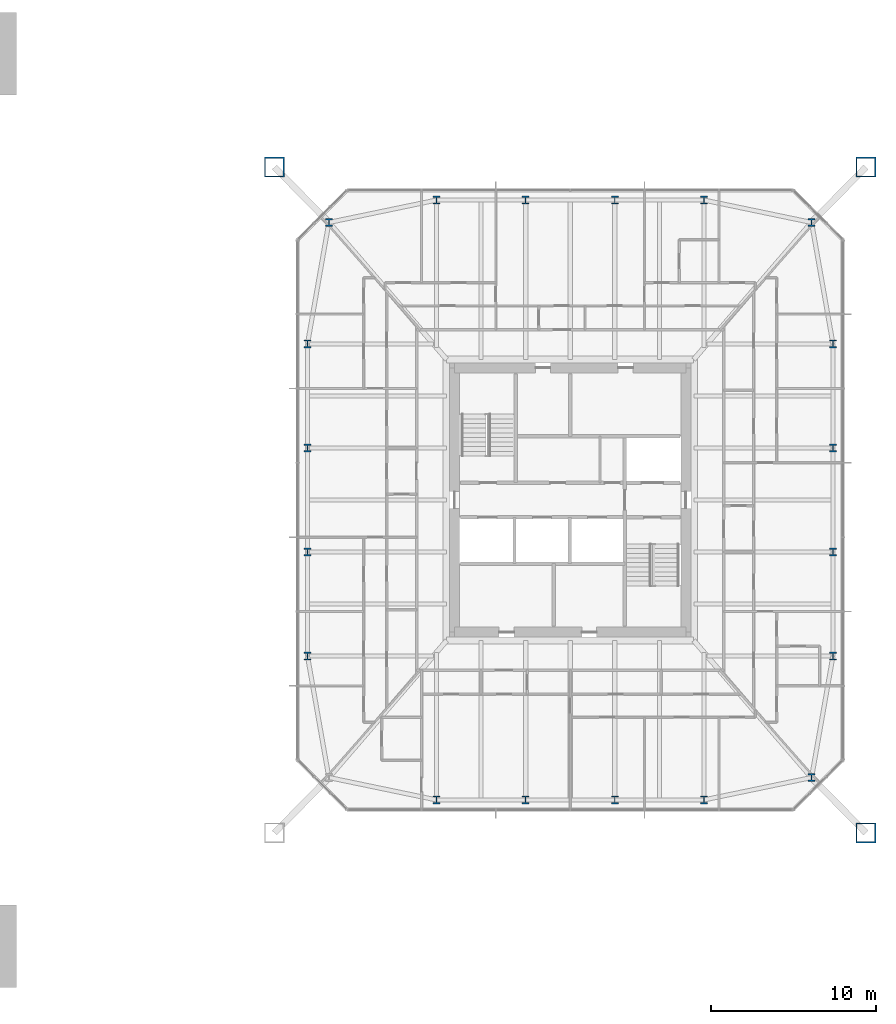
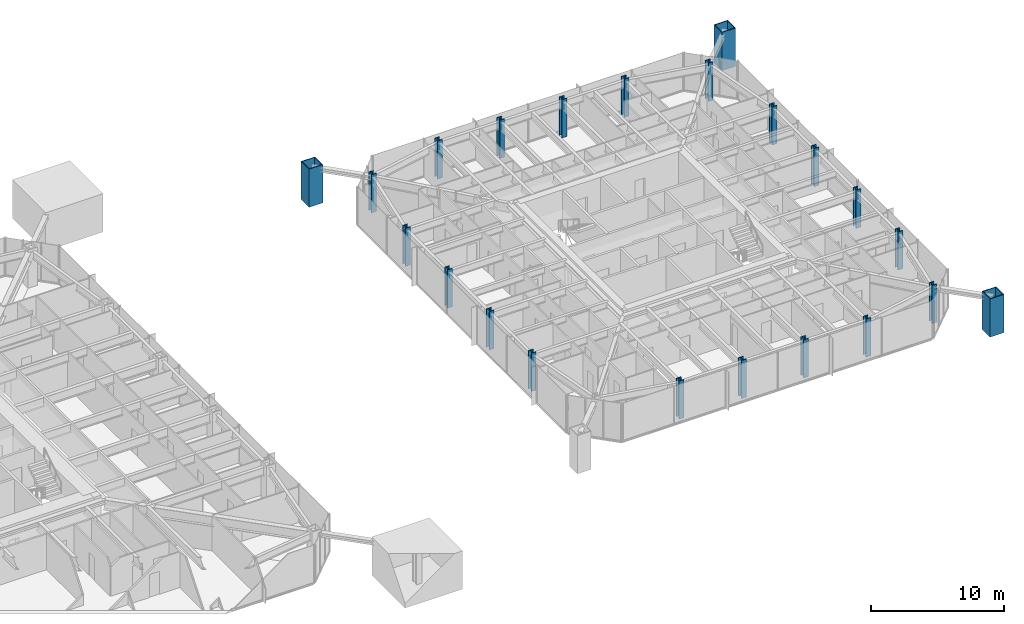
# One storey, part 2 of 26: 22 columns.
"""IFC4 building model written with IfcOpenShell, lengths in metres."""

import ifcopenshell
import ifcopenshell.guid

model = None  # the IFC model being written
_history = None  # IfcOwnerHistory: only IFC2X3 demands one
_inside = {}  # id of a spatial element -> (the spatial element, [elements in it])
_under = {}  # id of a project, library or spatial element -> (it, [spatial elements below it])
_declared = {}  # id of a project -> (the project, [libraries it declares])
_typed = {}  # id of a type object -> (the type object, [elements of that type])
_made_of = {}  # id of a material, layer set ... -> (it, [elements and type objects made of it])


def new_model(schema):
    """Start an empty IFC model of exactly this schema.

    Asked for "IFC4X3", IfcOpenShell would pick the latest addendum, in which some entities
    have other attributes; the version numbers below select the first issue.
    IFC2X3 requires an IfcOwnerHistory on every rooted entity: one is made here for all.
    """
    global model, _history
    if schema == "IFC4X3":
        model = ifcopenshell.file(schema_version=(4, 3, 0, 0))
    else:
        model = ifcopenshell.file(schema=schema)
    _inside.clear()
    _under.clear()
    _declared.clear()
    _typed.clear()
    _made_of.clear()
    _history = None
    if model.schema == "IFC2X3":
        org = make("IfcOrganization", Name="unknown")
        user = make(
            "IfcPersonAndOrganization",
            ThePerson=make("IfcPerson", FamilyName="unknown"),
            TheOrganization=org,
        )
        app = make(
            "IfcApplication",
            ApplicationDeveloper=org,
            Version="unknown",
            ApplicationFullName="unknown",
            ApplicationIdentifier="unknown",
        )
        _history = make(
            "IfcOwnerHistory",
            OwningUser=user,
            OwningApplication=app,
            ChangeAction="ADDED",
            CreationDate=0,
        )
    return model


def make(cls, **values):
    """One entity of the class cls with the attributes given. An attribute that is None is left unset."""
    return model.create_entity(
        cls, **{name: value for name, value in values.items() if value is not None}
    )


def rooted(cls, **values):
    """An entity with a GlobalId (a new one), such as an element, a storey or a relation."""
    return make(cls, GlobalId=ifcopenshell.guid.new(), OwnerHistory=_history, **values)


def si_unit(unit_type, name, prefix=None):
    """IfcSIUnit, for example si_unit("LENGTHUNIT", "METRE", prefix="MILLI")."""
    return make("IfcSIUnit", UnitType=unit_type, Prefix=prefix, Name=name)


def assignment(units):
    """IfcUnitAssignment: the units of a project."""
    return None if units is None else make("IfcUnitAssignment", Units=units)


def point(xyz):
    """IfcCartesianPoint."""
    return None if xyz is None else make("IfcCartesianPoint", Coordinates=xyz)


def direction(xyz):
    """IfcDirection."""
    return None if xyz is None else make("IfcDirection", DirectionRatios=xyz)


def frame(location, z_axis=None, x_axis=None):
    """IfcAxis2Placement3D, a coordinate frame: its origin and axes. An axis left out is left unset."""
    return make(
        "IfcAxis2Placement3D",
        Location=point(location),
        Axis=direction(z_axis),
        RefDirection=direction(x_axis),
    )


def frame_2d(location, x_axis=None):
    """IfcAxis2Placement2D, a coordinate frame in the plane: its origin and x axis."""
    return make(
        "IfcAxis2Placement2D", Location=point(location), RefDirection=direction(x_axis)
    )


def origin():
    """The frame at (0, 0, 0) with its axes left unset."""
    return frame((0.0, 0.0, 0.0))


def origin_2d():
    """The frame at (0, 0) in the plane with its x axis left unset."""
    return frame_2d((0.0, 0.0))


def place(relative_to, where):
    """IfcLocalPlacement: puts the frame where relative to a parent placement (None: the world)."""
    return make(
        "IfcLocalPlacement", PlacementRelTo=relative_to, RelativePlacement=where
    )


def context(
    kind, dimensions, precision=None, world=None, true_north=None, identifier=None
):
    """IfcGeometricRepresentationContext, for example the 3D "Model" context."""
    return make(
        "IfcGeometricRepresentationContext",
        ContextIdentifier=identifier,
        ContextType=kind,
        CoordinateSpaceDimension=dimensions,
        Precision=precision,
        WorldCoordinateSystem=world,
        TrueNorth=true_north,
    )


def subcontext(parent, identifier, kind, view, scale=None):
    """IfcGeometricRepresentationSubContext, for example "Body" below "Model"."""
    return make(
        "IfcGeometricRepresentationSubContext",
        ContextIdentifier=identifier,
        ContextType=kind,
        ParentContext=parent,
        TargetScale=scale,
        TargetView=view,
    )


def project(units=None, contexts=None):
    """IfcProject with its units and contexts."""
    return rooted(
        "IfcProject",
        Name="project",
        RepresentationContexts=contexts,
        UnitsInContext=assignment(units),
    )


def spatial(cls, under=None, at=None, **own):
    """A site, building, storey or space (cls), placed at a placement, below another one or the project."""
    s = rooted(cls, ObjectPlacement=at, **own)
    if under is not None:
        _under.setdefault(under.id(), (under, []))[1].append(s)
    return s


def profile(cls, at=None, kind="AREA", **sizes):
    """A parametric profile (cls). Its sizes go by their IFC names, for example OverallWidth=200.0."""
    return make(cls, ProfileType=kind, Position=at, **sizes)


def hollow_rectangle(**sizes):
    """IfcRectangleHollowProfileDef."""
    return profile("IfcRectangleHollowProfileDef", **sizes)


def i_section(**sizes):
    """IfcIShapeProfileDef."""
    return profile("IfcIShapeProfileDef", **sizes)


def extrude(swept, where, along, depth):
    """IfcExtrudedAreaSolid: the profile swept, set in the frame where, extruded along a direction by depth."""
    return make(
        "IfcExtrudedAreaSolid",
        SweptArea=swept,
        Position=where,
        ExtrudedDirection=direction(along),
        Depth=depth,
    )


def shape(context_of_items, identifier, shape_type, items):
    """IfcShapeRepresentation: the items that make up one representation, for example the "Body"."""
    return make(
        "IfcShapeRepresentation",
        ContextOfItems=context_of_items,
        RepresentationIdentifier=identifier,
        RepresentationType=shape_type,
        Items=items,
    )


def material(Name=None, Category=None):
    """IfcMaterial."""
    return make("IfcMaterial", Name=Name, Category=Category)


def material_profile(
    of_material, cross_section, Name=None, Category=None, Priority=None
):
    """IfcMaterialProfile: a cross section and its material."""
    return make(
        "IfcMaterialProfile",
        Name=Name,
        Material=of_material,
        Profile=cross_section,
        Priority=Priority,
        Category=Category,
    )


def profile_set(profiles, Name=None, composite=None):
    """IfcMaterialProfileSet."""
    return make(
        "IfcMaterialProfileSet",
        Name=Name,
        MaterialProfiles=profiles,
        CompositeProfile=composite,
    )


def made_of(thing, what):
    """Note that an element or type object is made of a material, layer set ...; save() writes the relation."""
    if what is not None:
        _made_of.setdefault(what.id(), (what, []))[1].append(thing)
    return thing


def type_object(cls, material=None, **own):
    """A type object (cls), such as IfcWallType, which elements share."""
    return made_of(rooted(cls, **own), material)


def element(
    cls,
    number,
    at=None,
    inside=None,
    cuts=None,
    type_object=None,
    material=None,
    context=None,
    identifier="Body",
    shape_type=None,
    held_by="IfcProductDefinitionShape",
    body=None,
    shapes=None,
    **own,
):
    """One element of the class cls, such as IfcWall. Its Tag is "e" and its number.

    at: its placement. inside: the storey or other place that contains it. cuts: it is an
    opening in that element (IfcRelVoidsElement). A single representation is given by context,
    identifier, shape_type and body (its items); several are given by shapes. held_by: the class
    of the entity that holds the representations. save() writes the other relations.
    """
    e = rooted(cls, Tag="e%d" % number, ObjectPlacement=at, **own)
    if body is not None:
        shapes = [shape(context, identifier, shape_type, body)]
    if shapes is not None:
        e.Representation = make(held_by, Representations=shapes)
    if inside is not None:
        _inside.setdefault(inside.id(), (inside, []))[1].append(e)
    if cuts is not None:
        rooted(
            "IfcRelVoidsElement", RelatingBuildingElement=cuts, RelatedOpeningElement=e
        )
    if type_object is not None:
        _typed.setdefault(type_object.id(), (type_object, []))[1].append(e)
    return made_of(e, material)


def aggregate(whole, parts):
    """IfcRelAggregates: a whole, such as a stair, and the parts it consists of."""
    return rooted("IfcRelAggregates", RelatingObject=whole, RelatedObjects=parts)


def save(model, path):
    """Write the relations noted so far, then the file.

    IfcRelAggregates (storeys below a building ...), IfcRelContainedInSpatialStructure (elements
    in a storey), IfcRelDefinesByType, IfcRelAssociatesMaterial and IfcRelDeclares: one each for
    every whole, place, type object, material and project.
    """
    for whole, parts in _under.values():
        aggregate(whole, parts)
    for where, things in _inside.values():
        rooted(
            "IfcRelContainedInSpatialStructure",
            RelatedElements=things,
            RelatingStructure=where,
        )
    for kind, things in _typed.values():
        rooted("IfcRelDefinesByType", RelatedObjects=things, RelatingType=kind)
    for what, things in _made_of.values():
        rooted("IfcRelAssociatesMaterial", RelatedObjects=things, RelatingMaterial=what)
    for by, libraries in _declared.values():
        rooted("IfcRelDeclares", RelatingContext=by, RelatedDefinitions=libraries)
    model.write(path)


model = new_model("IFC4")

# Units and contexts
model_context = context("Model", 3, precision=1e-05, world=origin(), true_north=direction((0.0, 1.0)))
body_context = subcontext(model_context, "Body", "Model", "MODEL_VIEW")
ifc_project = project(units=[si_unit("LENGTHUNIT", "METRE"), si_unit("AREAUNIT", "SQUARE_METRE"), si_unit("VOLUMEUNIT", "CUBIC_METRE"), si_unit("PLANEANGLEUNIT", "RADIAN"), si_unit("MASSUNIT", "GRAM", prefix="KILO")], contexts=[model_context])

# Site, building, storey
site_placement = place(None, origin())
site = spatial("IfcSite", under=ifc_project, at=site_placement, CompositionType="ELEMENT")
building_placement = place(site_placement, origin())
building = spatial("IfcBuilding", under=site, at=building_placement, Name="Iwan Alto Co-Living Towers", CompositionType="ELEMENT")
storey_placement = place(building_placement, frame((0.0, 0.0, 29.0)))
storey = spatial("IfcBuildingStorey", under=building, at=storey_placement, Name="L07", CompositionType="ELEMENT", Elevation=29.0)

# Columns
ifc_material_1 = material(Name="Steel ASTM A572 Gr 50", Category="steel")
ifc_material_profile_1 = material_profile(ifc_material_1, hollow_rectangle(XDim=1.199951171875, YDim=1.199951171875, WallThickness=0.070068359375, at=origin_2d()), Name="BOX 1200X1200X70")
ifc_profile_set_1 = profile_set([ifc_material_profile_1], Name="Steel ASTM A572 Gr 50")
column_type_1 = type_object("IfcColumnType", Name="T2 MEGA COLUMN BOX 1200X1200X70", PredefinedType="COLUMN", material=ifc_profile_set_1)
for number, where, z_axis, x_axis, name in (
    (1, (80.89990234375, -20.14990234375, 0.0), (0.0, 0.0, 1.0), (1.0, 0.0, 0.0), "T2 mega column SE L07"),
    (2, (80.89990234375, 20.14990234375, 0.0), (0.0, 0.0, 1.0), (1.0, 0.0, 0.0), "T2 mega column NE L07"),
    (3, (45.10009765625, 20.14990234375, 0.0), (0.0, 0.0, 1.0), (1.0, 0.0, 0.0), "T2 mega column NW L07"),
):
    element("IfcColumn", number, at=place(storey_placement, frame(where, z_axis=z_axis, x_axis=x_axis)), inside=storey, type_object=column_type_1, Name=name, PredefinedType="COLUMN", context=body_context, shape_type="SweptSolid", body=[
        extrude(hollow_rectangle(XDim=1.199951171875, YDim=1.199951171875, WallThickness=0.070068359375, at=origin_2d()), origin(), (0.0, 0.0, 1.0), 3.5),
    ])
ifc_material_2 = material(Name="Steel ASTM A992 Gr 50", Category="steel")
ifc_material_profile_2 = material_profile(ifc_material_2, i_section(OverallWidth=0.424072265625, OverallDepth=0.47509765625, WebThickness=0.0478515625, FlangeThickness=0.0771484375, at=origin_2d()), Name="W14X426")
ifc_profile_set_2 = profile_set([ifc_material_profile_2], Name="Steel ASTM A992 Gr 50")
column_type_2 = type_object("IfcColumnType", Name="T2 RING COLUMN W14X426", PredefinedType="COLUMN", material=ifc_profile_set_2)
for number, where, z_axis, x_axis, name in (
    (4, (54.89990234375, -18.14990234375, 0.0), (0.0, 0.0, 1.0), (1.0, 0.0, 0.0), "T2 ring column S1 L07"),
    (5, (60.300048828125, -18.14990234375, 0.0), (0.0, 0.0, 1.0), (1.0, 0.0, 0.0), "T2 ring column S2 L07"),
    (6, (65.699951171875, -18.14990234375, 0.0), (0.0, 0.0, 1.0), (1.0, 0.0, 0.0), "T2 ring column S3 L07"),
    (7, (71.10009765625, -18.14990234375, 0.0), (0.0, 0.0, 1.0), (1.0, 0.0, 0.0), "T2 ring column S4 L07"),
    (8, (77.606201171875, -16.797119140625, 0.0), (0.0, 0.0, 1.0), (1.0, 0.0, 0.0), "T2 ring column CSE L07"),
    (9, (78.89990234375, -9.449951171875, 0.0), (0.0, 0.0, 1.0), (1.0, 0.0, 0.0), "T2 ring column E1 L07"),
    (10, (78.89990234375, -3.14990234375, 0.0), (0.0, 0.0, 1.0), (1.0, 0.0, 0.0), "T2 ring column E2 L07"),
    (11, (78.89990234375, 3.14990234375, 0.0), (0.0, 0.0, 1.0), (1.0, 0.0, 0.0), "T2 ring column E3 L07"),
    (12, (78.89990234375, 9.449951171875, 0.0), (0.0, 0.0, 1.0), (1.0, 0.0, 0.0), "T2 ring column E4 L07"),
    (13, (77.606201171875, 16.797119140625, 0.0), (0.0, 0.0, 1.0), (1.0, 0.0, 0.0), "T2 ring column CNE L07"),
    (14, (71.10009765625, 18.14990234375, 0.0), (0.0, 0.0, 1.0), (1.0, 0.0, 0.0), "T2 ring column N1 L07"),
    (15, (65.699951171875, 18.14990234375, 0.0), (0.0, 0.0, 1.0), (1.0, 0.0, 0.0), "T2 ring column N2 L07"),
    (16, (60.300048828125, 18.14990234375, 0.0), (0.0, 0.0, 1.0), (1.0, 0.0, 0.0), "T2 ring column N3 L07"),
    (17, (54.89990234375, 18.14990234375, 0.0), (0.0, 0.0, 1.0), (1.0, 0.0, 0.0), "T2 ring column N4 L07"),
    (18, (48.393798828125, 16.797119140625, 0.0), (0.0, 0.0, 1.0), (1.0, 0.0, 0.0), "T2 ring column CNW L07"),
    (19, (47.10009765625, 9.449951171875, 0.0), (0.0, 0.0, 1.0), (1.0, 0.0, 0.0), "T2 ring column W1 L07"),
    (20, (47.10009765625, 3.14990234375, 0.0), (0.0, 0.0, 1.0), (1.0, 0.0, 0.0), "T2 ring column W2 L07"),
    (21, (47.10009765625, -3.14990234375, 0.0), (0.0, 0.0, 1.0), (1.0, 0.0, 0.0), "T2 ring column W3 L07"),
    (22, (47.10009765625, -9.449951171875, 0.0), (0.0, 0.0, 1.0), (1.0, 0.0, 0.0), "T2 ring column W4 L07"),
):
    element("IfcColumn", number, at=place(storey_placement, frame(where, z_axis=z_axis, x_axis=x_axis)), inside=storey, type_object=column_type_2, Name=name, PredefinedType="COLUMN", context=body_context, shape_type="SweptSolid", body=[
        extrude(i_section(OverallWidth=0.424072265625, OverallDepth=0.47509765625, WebThickness=0.0478515625, FlangeThickness=0.0771484375, at=origin_2d()), origin(), (0.0, 0.0, 1.0), 3.5),
    ])

save(model, "model.ifc")
